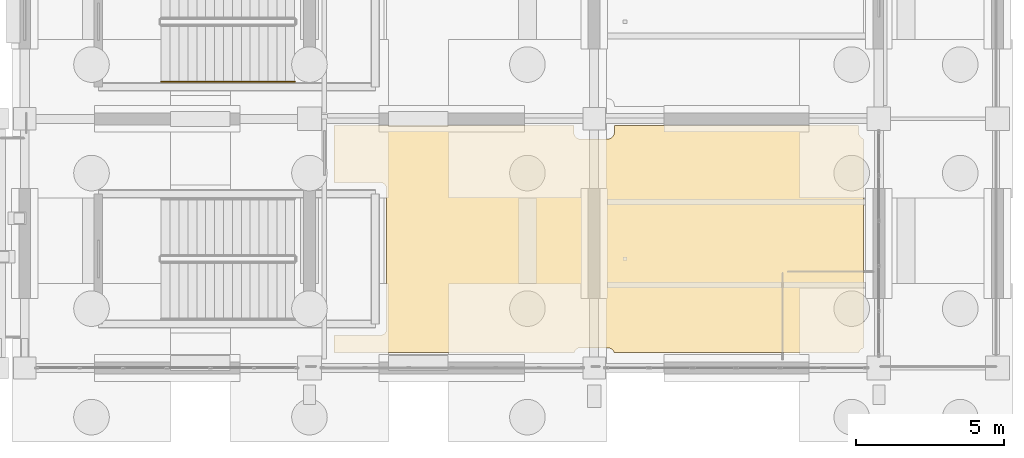
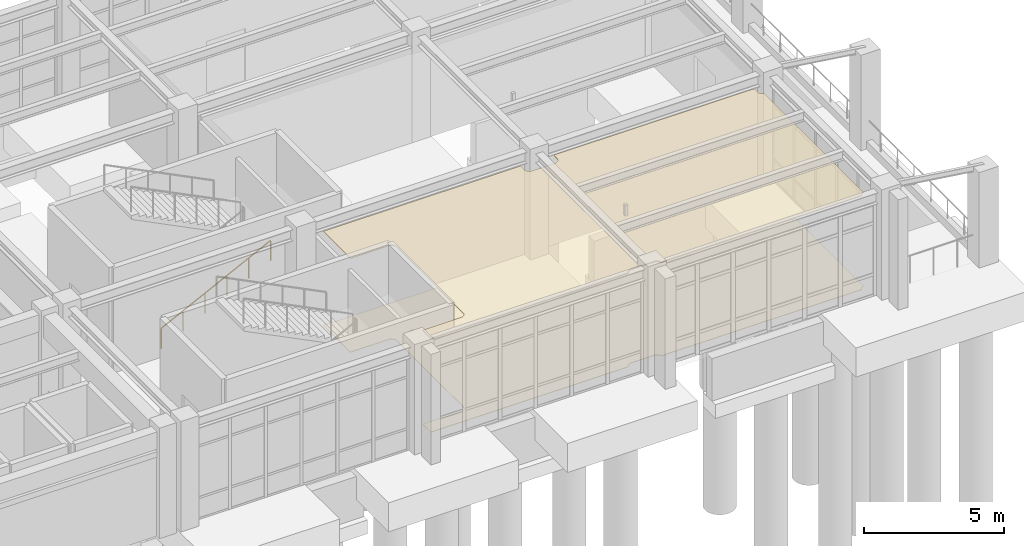
# One storey, part 105 of 111: 2 coverings, 1 railing.
"""IFC4 building model written with IfcOpenShell, lengths in metres."""

from ifc_helpers import new_model, si_unit, direction, frame, origin, origin_2d, place, context, subcontext, project, spatial, polyline, circle, outline, extrude, material, layer, layer_set, type_object, element, save


model = new_model("IFC4")

# Units and contexts
model_context = context("Model", 3, precision=1e-05, world=origin(), true_north=direction((0.0, 1.0)))
body_context = subcontext(model_context, "Body", "Model", "MODEL_VIEW")
ifc_project = project(units=[si_unit("LENGTHUNIT", "METRE"), si_unit("AREAUNIT", "SQUARE_METRE"), si_unit("VOLUMEUNIT", "CUBIC_METRE"), si_unit("PLANEANGLEUNIT", "RADIAN"), si_unit("MASSUNIT", "GRAM", prefix="KILO")], contexts=[model_context])

# Site, building, storey
site_placement = place(None, origin())
site = spatial("IfcSite", under=ifc_project, at=site_placement, CompositionType="ELEMENT")
building_placement = place(site_placement, origin())
building = spatial("IfcBuilding", under=site, at=building_placement, Name="Canglan Escarpment Cableway Terminal", CompositionType="ELEMENT")
storey_placement = place(building_placement, frame((0.0, 0.0, 4.800048828125)))
storey = spatial("IfcBuildingStorey", under=building, at=storey_placement, Name="L01", CompositionType="ELEMENT", Elevation=4.800048828125)

# Coverings
ifc_material_1 = material(Name="Moisture-resistant acoustic gypsum ceiling", Category="gypsum")
ifc_layer_1 = layer(ifc_material_1, 0.030029296875, Name="Moisture-resistant acoustic gypsum ceiling")
ifc_layer_set_1 = layer_set([ifc_layer_1], Name="Moisture-resistant acoustic gypsum ceiling")
covering_type_1 = type_object("IfcCoveringType", Name="COV-CEIL-GYPSUM-30", PredefinedType="CEILING", material=ifc_layer_set_1)
covering_1_placement = place(storey_placement, frame((0.0, 0.0, 4.070068359375)))
element("IfcCovering", 1, at=covering_1_placement, inside=storey, type_object=covering_type_1, Name="Portico Concierge Salon suspended acoustic ceiling", PredefinedType="CEILING", context=body_context, shape_type="SweptSolid", body=[
    extrude(outline(polyline([(165.73291015625, 8.533203125), (165.732177734375, 8.531494140625), (165.731201171875, 8.529541015625), (165.72998046875, 8.52783203125), (165.728515625, 8.5263671875), (165.72705078125, 8.52490234375), (165.7255859375, 8.523681640625), (165.723876953125, 8.522705078125), (165.721923828125, 8.521728515625), (165.719970703125, 8.52099609375), (165.718017578125, 8.5205078125), (165.716064453125, 8.52001953125), (165.714111328125, 8.52001953125), (157.639892578125, 8.52001953125), (157.637939453125, 8.52001953125), (157.635986328125, 8.5205078125), (157.63427734375, 8.52099609375), (157.63232421875, 8.521484375), (157.630615234375, 8.5224609375), (157.62890625, 8.5234375), (157.627197265625, 8.5244140625), (157.6259765625, 8.52587890625), (157.62451171875, 8.52734375), (157.623291015625, 8.52880859375), (157.622314453125, 8.530517578125), (157.62158203125, 8.5322265625), (157.620849609375, 8.5341796875), (157.620361328125, 8.5361328125), (157.6201171875, 8.5380859375), (157.6201171875, 8.5400390625), (157.6201171875, 9.080078125), (157.6201171875, 9.08203125), (157.620361328125, 9.083984375), (157.620849609375, 9.085693359375), (157.62158203125, 9.087646484375), (157.622314453125, 9.08935546875), (157.623291015625, 9.091064453125), (157.62451171875, 9.0927734375), (157.6259765625, 9.093994140625), (157.627197265625, 9.095458984375), (157.62890625, 9.0966796875), (157.630615234375, 9.09765625), (157.63232421875, 9.098388671875), (157.63427734375, 9.09912109375), (157.635986328125, 9.099609375), (157.637939453125, 9.099853515625), (157.639892578125, 9.10009765625), (159.1796875, 9.10009765625), (159.18017578125, 9.10009765625), (159.201171875, 9.10107421875), (159.201904296875, 9.10107421875), (159.222412109375, 9.104248046875), (159.223388671875, 9.104248046875), (159.243408203125, 9.109375), (159.244384765625, 9.109619140625), (159.263671875, 9.11669921875), (159.2646484375, 9.116943359375), (159.283203125, 9.125732421875), (159.2841796875, 9.126220703125), (159.3017578125, 9.13671875), (159.302490234375, 9.137451171875), (159.319091796875, 9.149658203125), (159.31982421875, 9.150390625), (159.335205078125, 9.1640625), (159.3359375, 9.164794921875), (159.349609375, 9.18017578125), (159.350341796875, 9.180908203125), (159.362548828125, 9.197509765625), (159.36328125, 9.1982421875), (159.373779296875, 9.2158203125), (159.374267578125, 9.216796875), (159.383056640625, 9.2353515625), (159.38330078125, 9.236328125), (159.390380859375, 9.255615234375), (159.390625, 9.256591796875), (159.395751953125, 9.276611328125), (159.395751953125, 9.277587890625), (159.39892578125, 9.298095703125), (159.39892578125, 9.298828125), (159.39990234375, 9.31982421875), (159.39990234375, 9.3203125), (159.39990234375, 14.02978515625), (159.39990234375, 14.0302734375), (159.39892578125, 14.051025390625), (159.39892578125, 14.052001953125), (159.395751953125, 14.072509765625), (159.395751953125, 14.073486328125), (159.390625, 14.093505859375), (159.390380859375, 14.09423828125), (159.38330078125, 14.11376953125), (159.383056640625, 14.114501953125), (159.374267578125, 14.13330078125), (159.373779296875, 14.134033203125), (159.36328125, 14.15185546875), (159.362548828125, 14.152587890625), (159.350341796875, 14.169189453125), (159.349609375, 14.169921875), (159.3359375, 14.185302734375), (159.335205078125, 14.185791015625), (159.31982421875, 14.19970703125), (159.319091796875, 14.200439453125), (159.302490234375, 14.212646484375), (159.3017578125, 14.213134765625), (159.2841796875, 14.223876953125), (159.283203125, 14.22412109375), (159.2646484375, 14.23291015625), (159.263671875, 14.2333984375), (159.244384765625, 14.240478515625), (159.243408203125, 14.240478515625), (159.223388671875, 14.24560546875), (159.222412109375, 14.245849609375), (159.201904296875, 14.248779296875), (159.201171875, 14.2490234375), (159.18017578125, 14.25), (159.1796875, 14.25), (157.639892578125, 14.25), (157.637939453125, 14.25), (157.635986328125, 14.25048828125), (157.63427734375, 14.2509765625), (157.63232421875, 14.25146484375), (157.630615234375, 14.25244140625), (157.62890625, 14.25341796875), (157.627197265625, 14.25439453125), (157.6259765625, 14.255859375), (157.62451171875, 14.25732421875), (157.623291015625, 14.2587890625), (157.622314453125, 14.260498046875), (157.62158203125, 14.26220703125), (157.620849609375, 14.26416015625), (157.620361328125, 14.26611328125), (157.6201171875, 14.26806640625), (157.6201171875, 14.27001953125), (157.6201171875, 16.159912109375), (157.6201171875, 16.162109375), (157.620361328125, 16.163818359375), (157.620849609375, 16.165771484375), (157.62158203125, 16.167724609375), (157.622314453125, 16.16943359375), (157.623291015625, 16.171142578125), (157.62451171875, 16.172607421875), (157.6259765625, 16.174072265625), (157.627197265625, 16.175537109375), (157.62890625, 16.176513671875), (157.630615234375, 16.177490234375), (157.63232421875, 16.178466796875), (157.63427734375, 16.17919921875), (157.635986328125, 16.1796875), (157.637939453125, 16.179931640625), (157.639892578125, 16.179931640625), (165.699951171875, 16.179931640625), (165.701904296875, 16.179931640625), (165.703857421875, 16.1796875), (165.705810546875, 16.17919921875), (165.707763671875, 16.178466796875), (165.70947265625, 16.177490234375), (165.711181640625, 16.176513671875), (165.712646484375, 16.175537109375), (165.714111328125, 16.174072265625), (165.715576171875, 16.172607421875), (165.716552734375, 16.171142578125), (165.717529296875, 16.16943359375), (165.718505859375, 16.167724609375), (165.718994140625, 16.165771484375), (165.719482421875, 16.163818359375), (165.719970703125, 16.162109375), (165.719970703125, 16.159912109375), (165.719970703125, 15.940185546875), (165.719970703125, 15.939697265625), (165.720947265625, 15.9189453125), (165.72119140625, 15.91796875), (165.72412109375, 15.897705078125), (165.724365234375, 15.896484375), (165.7294921875, 15.876708984375), (165.7294921875, 15.875732421875), (165.736572265625, 15.856201171875), (165.737060546875, 15.85546875), (165.745849609375, 15.836669921875), (165.74609375, 15.8359375), (165.7568359375, 15.818115234375), (165.75732421875, 15.8173828125), (165.76953125, 15.80078125), (165.770263671875, 15.800048828125), (165.7841796875, 15.784912109375), (165.784912109375, 15.7841796875), (165.800048828125, 15.770263671875), (165.80078125, 15.76953125), (165.8173828125, 15.75732421875), (165.818115234375, 15.7568359375), (165.8359375, 15.74609375), (165.836669921875, 15.745849609375), (165.85546875, 15.737060546875), (165.856201171875, 15.736572265625), (165.875732421875, 15.7294921875), (165.876708984375, 15.7294921875), (165.896484375, 15.724365234375), (165.897705078125, 15.72412109375), (165.91796875, 15.72119140625), (165.9189453125, 15.720947265625), (165.939697265625, 15.719970703125), (165.940185546875, 15.719970703125), (166.85986328125, 15.719970703125), (166.860107421875, 15.719970703125), (166.881103515625, 15.720947265625), (166.882080078125, 15.72119140625), (166.90234375, 15.72412109375), (166.9033203125, 15.724365234375), (166.92333984375, 15.7294921875), (166.92431640625, 15.7294921875), (166.943603515625, 15.736572265625), (166.944580078125, 15.737060546875), (166.96337890625, 15.745849609375), (166.964111328125, 15.74609375), (166.981689453125, 15.7568359375), (166.982666015625, 15.75732421875), (166.999267578125, 15.76953125), (167.0, 15.770263671875), (167.01513671875, 15.7841796875), (167.015869140625, 15.784912109375), (167.02978515625, 15.800048828125), (167.030517578125, 15.80078125), (167.04248046875, 15.8173828125), (167.043212890625, 15.818115234375), (167.0537109375, 15.8359375), (167.05419921875, 15.836669921875), (167.06298828125, 15.85546875), (167.0634765625, 15.856201171875), (167.0703125, 15.875732421875), (167.070556640625, 15.876708984375), (167.07568359375, 15.896484375), (167.07568359375, 15.897705078125), (167.078857421875, 15.91796875), (167.0791015625, 15.9189453125), (167.080078125, 15.939697265625), (167.080078125, 15.940185546875), (167.080078125, 16.159912109375), (167.080078125, 16.162109375), (167.080322265625, 16.163818359375), (167.080810546875, 16.165771484375), (167.08154296875, 16.167724609375), (167.08251953125, 16.16943359375), (167.08349609375, 16.171142578125), (167.08447265625, 16.172607421875), (167.0859375, 16.174072265625), (167.08740234375, 16.175537109375), (167.0888671875, 16.176513671875), (167.090576171875, 16.177490234375), (167.09228515625, 16.178466796875), (167.09423828125, 16.17919921875), (167.09619140625, 16.1796875), (167.097900390625, 16.179931640625), (167.10009765625, 16.179931640625), (175.300048828125, 16.179931640625), (175.302001953125, 16.179931640625), (175.303955078125, 16.1796875), (175.305908203125, 16.17919921875), (175.3076171875, 16.178466796875), (175.309326171875, 16.177490234375), (175.31103515625, 16.176513671875), (175.312744140625, 16.175537109375), (175.314208984375, 16.174072265625), (175.3154296875, 16.172607421875), (175.316650390625, 16.171142578125), (175.317626953125, 16.16943359375), (175.318603515625, 16.167724609375), (175.319091796875, 16.165771484375), (175.319580078125, 16.163818359375), (175.31982421875, 16.162109375), (175.320068359375, 16.159912109375), (175.320068359375, 15.940185546875), (175.320068359375, 15.939697265625), (175.321044921875, 15.9189453125), (175.321044921875, 15.91796875), (175.32421875, 15.897705078125), (175.32421875, 15.896484375), (175.329345703125, 15.876708984375), (175.32958984375, 15.875732421875), (175.336669921875, 15.856201171875), (175.3369140625, 15.85546875), (175.345703125, 15.836669921875), (175.34619140625, 15.8359375), (175.356689453125, 15.818115234375), (175.357421875, 15.8173828125), (175.36962890625, 15.80078125), (175.370361328125, 15.800048828125), (175.384033203125, 15.784912109375), (175.384765625, 15.7841796875), (175.400146484375, 15.770263671875), (175.40087890625, 15.76953125), (175.41748046875, 15.75732421875), (175.418212890625, 15.7568359375), (175.435791015625, 15.74609375), (175.436767578125, 15.745849609375), (175.455322265625, 15.737060546875), (175.456298828125, 15.736572265625), (175.466796875, 15.73291015625), (175.468505859375, 15.732177734375), (175.47021484375, 15.731201171875), (175.4716796875, 15.730224609375), (175.47314453125, 15.72900390625), (175.474609375, 15.727783203125), (175.475830078125, 15.726318359375), (175.476806640625, 15.724609375), (175.477783203125, 15.72314453125), (175.478515625, 15.721435546875), (175.479248046875, 15.719482421875), (175.4794921875, 15.7177734375), (175.47998046875, 15.7158203125), (175.47998046875, 15.714111328125), (175.47998046875, 8.68603515625), (175.47998046875, 8.68408203125), (175.4794921875, 8.68212890625), (175.479248046875, 8.680419921875), (175.478515625, 8.6787109375), (175.477783203125, 8.677001953125), (175.476806640625, 8.67529296875), (175.475830078125, 8.673583984375), (175.474609375, 8.67236328125), (175.47314453125, 8.6708984375), (175.4716796875, 8.669921875), (175.47021484375, 8.668701171875), (175.468505859375, 8.66796875), (175.466796875, 8.667236328125), (175.456298828125, 8.663330078125), (175.455322265625, 8.6630859375), (175.436767578125, 8.654296875), (175.435791015625, 8.65380859375), (175.418212890625, 8.643310546875), (175.41748046875, 8.642578125), (175.40087890625, 8.63037109375), (175.400146484375, 8.629638671875), (175.384765625, 8.615966796875), (175.384033203125, 8.615234375), (175.370361328125, 8.599853515625), (175.36962890625, 8.59912109375), (175.357421875, 8.58251953125), (175.356689453125, 8.581787109375), (175.34619140625, 8.564208984375), (175.345703125, 8.563232421875), (175.3369140625, 8.544677734375), (175.336669921875, 8.543701171875), (175.332763671875, 8.533203125), (175.33203125, 8.531494140625), (175.3310546875, 8.529541015625), (175.329833984375, 8.52783203125), (175.32861328125, 8.5263671875), (175.3271484375, 8.52490234375), (175.325439453125, 8.523681640625), (175.32373046875, 8.522705078125), (175.322021484375, 8.521728515625), (175.320068359375, 8.52099609375), (175.318115234375, 8.5205078125), (175.31591796875, 8.52001953125), (175.31396484375, 8.52001953125), (167.0859375, 8.52001953125), (167.083984375, 8.52001953125), (167.081787109375, 8.5205078125), (167.080078125, 8.52099609375), (167.077880859375, 8.521728515625), (167.076171875, 8.522705078125), (167.074462890625, 8.523681640625), (167.072998046875, 8.52490234375), (167.0712890625, 8.5263671875), (167.070068359375, 8.52783203125), (167.06884765625, 8.529541015625), (167.06787109375, 8.531494140625), (167.067138671875, 8.533203125), (167.0634765625, 8.543701171875), (167.06298828125, 8.544677734375), (167.05419921875, 8.563232421875), (167.0537109375, 8.564208984375), (167.043212890625, 8.581787109375), (167.04248046875, 8.58251953125), (167.030517578125, 8.59912109375), (167.02978515625, 8.599853515625), (167.015869140625, 8.615234375), (167.01513671875, 8.615966796875), (167.0, 8.629638671875), (166.999267578125, 8.63037109375), (166.982666015625, 8.642578125), (166.981689453125, 8.643310546875), (166.964111328125, 8.65380859375), (166.96337890625, 8.654296875), (166.944580078125, 8.6630859375), (166.943603515625, 8.663330078125), (166.92431640625, 8.67041015625), (166.92333984375, 8.670654296875), (166.9033203125, 8.67578125), (166.90234375, 8.67578125), (166.882080078125, 8.678955078125), (166.881103515625, 8.678955078125), (166.860107421875, 8.679931640625), (166.85986328125, 8.679931640625), (165.940185546875, 8.679931640625), (165.939697265625, 8.679931640625), (165.9189453125, 8.678955078125), (165.91796875, 8.678955078125), (165.897705078125, 8.67578125), (165.896484375, 8.67578125), (165.876708984375, 8.670654296875), (165.875732421875, 8.67041015625), (165.856201171875, 8.663330078125), (165.85546875, 8.6630859375), (165.836669921875, 8.654296875), (165.8359375, 8.65380859375), (165.818115234375, 8.643310546875), (165.8173828125, 8.642578125), (165.80078125, 8.63037109375), (165.800048828125, 8.629638671875), (165.784912109375, 8.615966796875), (165.7841796875, 8.615234375), (165.770263671875, 8.599853515625), (165.76953125, 8.59912109375), (165.75732421875, 8.58251953125), (165.7568359375, 8.581787109375), (165.74609375, 8.564208984375), (165.745849609375, 8.563232421875), (165.737060546875, 8.544677734375), (165.736572265625, 8.543701171875), (165.73291015625, 8.533203125)])), origin(), (0.0, 0.0, 1.0), 0.02978515625),
])
ifc_material_2 = material(Name="Polished mineral terrazzo flooring", Category="concrete")
ifc_layer_2 = layer(ifc_material_2, 0.02001953125, Name="Polished mineral terrazzo flooring")
ifc_layer_set_2 = layer_set([ifc_layer_2], Name="Polished mineral terrazzo flooring")
covering_type_2 = type_object("IfcCoveringType", Name="COV-FLR-TERRAZZO-20", PredefinedType="FLOORING", material=ifc_layer_set_2)
covering_2_placement = place(storey_placement, origin())
element("IfcCovering", 2, at=covering_2_placement, inside=storey, type_object=covering_type_2, Name="Portico Concierge Salon stone floor finish", PredefinedType="FLOORING", context=body_context, shape_type="SweptSolid", body=[
    extrude(outline(polyline([(165.73291015625, 8.533203125), (165.732177734375, 8.531494140625), (165.731201171875, 8.529541015625), (165.72998046875, 8.52783203125), (165.728515625, 8.5263671875), (165.72705078125, 8.52490234375), (165.7255859375, 8.523681640625), (165.723876953125, 8.522705078125), (165.721923828125, 8.521728515625), (165.719970703125, 8.52099609375), (165.718017578125, 8.5205078125), (165.716064453125, 8.52001953125), (165.714111328125, 8.52001953125), (157.639892578125, 8.52001953125), (157.637939453125, 8.52001953125), (157.635986328125, 8.5205078125), (157.63427734375, 8.52099609375), (157.63232421875, 8.521484375), (157.630615234375, 8.5224609375), (157.62890625, 8.5234375), (157.627197265625, 8.5244140625), (157.6259765625, 8.52587890625), (157.62451171875, 8.52734375), (157.623291015625, 8.52880859375), (157.622314453125, 8.530517578125), (157.62158203125, 8.5322265625), (157.620849609375, 8.5341796875), (157.620361328125, 8.5361328125), (157.6201171875, 8.5380859375), (157.6201171875, 8.5400390625), (157.6201171875, 9.080078125), (157.6201171875, 9.08203125), (157.620361328125, 9.083984375), (157.620849609375, 9.085693359375), (157.62158203125, 9.087646484375), (157.622314453125, 9.08935546875), (157.623291015625, 9.091064453125), (157.62451171875, 9.0927734375), (157.6259765625, 9.093994140625), (157.627197265625, 9.095458984375), (157.62890625, 9.0966796875), (157.630615234375, 9.09765625), (157.63232421875, 9.098388671875), (157.63427734375, 9.09912109375), (157.635986328125, 9.099609375), (157.637939453125, 9.099853515625), (157.639892578125, 9.10009765625), (159.1796875, 9.10009765625), (159.18017578125, 9.10009765625), (159.201171875, 9.10107421875), (159.201904296875, 9.10107421875), (159.222412109375, 9.104248046875), (159.223388671875, 9.104248046875), (159.243408203125, 9.109375), (159.244384765625, 9.109619140625), (159.263671875, 9.11669921875), (159.2646484375, 9.116943359375), (159.283203125, 9.125732421875), (159.2841796875, 9.126220703125), (159.3017578125, 9.13671875), (159.302490234375, 9.137451171875), (159.319091796875, 9.149658203125), (159.31982421875, 9.150390625), (159.335205078125, 9.1640625), (159.3359375, 9.164794921875), (159.349609375, 9.18017578125), (159.350341796875, 9.180908203125), (159.362548828125, 9.197509765625), (159.36328125, 9.1982421875), (159.373779296875, 9.2158203125), (159.374267578125, 9.216796875), (159.383056640625, 9.2353515625), (159.38330078125, 9.236328125), (159.390380859375, 9.255615234375), (159.390625, 9.256591796875), (159.395751953125, 9.276611328125), (159.395751953125, 9.277587890625), (159.39892578125, 9.298095703125), (159.39892578125, 9.298828125), (159.39990234375, 9.31982421875), (159.39990234375, 9.3203125), (159.39990234375, 14.02978515625), (159.39990234375, 14.0302734375), (159.39892578125, 14.051025390625), (159.39892578125, 14.052001953125), (159.395751953125, 14.072509765625), (159.395751953125, 14.073486328125), (159.390625, 14.093505859375), (159.390380859375, 14.09423828125), (159.38330078125, 14.11376953125), (159.383056640625, 14.114501953125), (159.374267578125, 14.13330078125), (159.373779296875, 14.134033203125), (159.36328125, 14.15185546875), (159.362548828125, 14.152587890625), (159.350341796875, 14.169189453125), (159.349609375, 14.169921875), (159.3359375, 14.185302734375), (159.335205078125, 14.185791015625), (159.31982421875, 14.19970703125), (159.319091796875, 14.200439453125), (159.302490234375, 14.212646484375), (159.3017578125, 14.213134765625), (159.2841796875, 14.223876953125), (159.283203125, 14.22412109375), (159.2646484375, 14.23291015625), (159.263671875, 14.2333984375), (159.244384765625, 14.240478515625), (159.243408203125, 14.240478515625), (159.223388671875, 14.24560546875), (159.222412109375, 14.245849609375), (159.201904296875, 14.248779296875), (159.201171875, 14.2490234375), (159.18017578125, 14.25), (159.1796875, 14.25), (157.639892578125, 14.25), (157.637939453125, 14.25), (157.635986328125, 14.25048828125), (157.63427734375, 14.2509765625), (157.63232421875, 14.25146484375), (157.630615234375, 14.25244140625), (157.62890625, 14.25341796875), (157.627197265625, 14.25439453125), (157.6259765625, 14.255859375), (157.62451171875, 14.25732421875), (157.623291015625, 14.2587890625), (157.622314453125, 14.260498046875), (157.62158203125, 14.26220703125), (157.620849609375, 14.26416015625), (157.620361328125, 14.26611328125), (157.6201171875, 14.26806640625), (157.6201171875, 14.27001953125), (157.6201171875, 16.159912109375), (157.6201171875, 16.162109375), (157.620361328125, 16.163818359375), (157.620849609375, 16.165771484375), (157.62158203125, 16.167724609375), (157.622314453125, 16.16943359375), (157.623291015625, 16.171142578125), (157.62451171875, 16.172607421875), (157.6259765625, 16.174072265625), (157.627197265625, 16.175537109375), (157.62890625, 16.176513671875), (157.630615234375, 16.177490234375), (157.63232421875, 16.178466796875), (157.63427734375, 16.17919921875), (157.635986328125, 16.1796875), (157.637939453125, 16.179931640625), (157.639892578125, 16.179931640625), (165.699951171875, 16.179931640625), (165.701904296875, 16.179931640625), (165.703857421875, 16.1796875), (165.705810546875, 16.17919921875), (165.707763671875, 16.178466796875), (165.70947265625, 16.177490234375), (165.711181640625, 16.176513671875), (165.712646484375, 16.175537109375), (165.714111328125, 16.174072265625), (165.715576171875, 16.172607421875), (165.716552734375, 16.171142578125), (165.717529296875, 16.16943359375), (165.718505859375, 16.167724609375), (165.718994140625, 16.165771484375), (165.719482421875, 16.163818359375), (165.719970703125, 16.162109375), (165.719970703125, 16.159912109375), (165.719970703125, 15.940185546875), (165.719970703125, 15.939697265625), (165.720947265625, 15.9189453125), (165.72119140625, 15.91796875), (165.72412109375, 15.897705078125), (165.724365234375, 15.896484375), (165.7294921875, 15.876708984375), (165.7294921875, 15.875732421875), (165.736572265625, 15.856201171875), (165.737060546875, 15.85546875), (165.745849609375, 15.836669921875), (165.74609375, 15.8359375), (165.7568359375, 15.818115234375), (165.75732421875, 15.8173828125), (165.76953125, 15.80078125), (165.770263671875, 15.800048828125), (165.7841796875, 15.784912109375), (165.784912109375, 15.7841796875), (165.800048828125, 15.770263671875), (165.80078125, 15.76953125), (165.8173828125, 15.75732421875), (165.818115234375, 15.7568359375), (165.8359375, 15.74609375), (165.836669921875, 15.745849609375), (165.85546875, 15.737060546875), (165.856201171875, 15.736572265625), (165.875732421875, 15.7294921875), (165.876708984375, 15.7294921875), (165.896484375, 15.724365234375), (165.897705078125, 15.72412109375), (165.91796875, 15.72119140625), (165.9189453125, 15.720947265625), (165.939697265625, 15.719970703125), (165.940185546875, 15.719970703125), (166.85986328125, 15.719970703125), (166.860107421875, 15.719970703125), (166.881103515625, 15.720947265625), (166.882080078125, 15.72119140625), (166.90234375, 15.72412109375), (166.9033203125, 15.724365234375), (166.92333984375, 15.7294921875), (166.92431640625, 15.7294921875), (166.943603515625, 15.736572265625), (166.944580078125, 15.737060546875), (166.96337890625, 15.745849609375), (166.964111328125, 15.74609375), (166.981689453125, 15.7568359375), (166.982666015625, 15.75732421875), (166.999267578125, 15.76953125), (167.0, 15.770263671875), (167.01513671875, 15.7841796875), (167.015869140625, 15.784912109375), (167.02978515625, 15.800048828125), (167.030517578125, 15.80078125), (167.04248046875, 15.8173828125), (167.043212890625, 15.818115234375), (167.0537109375, 15.8359375), (167.05419921875, 15.836669921875), (167.06298828125, 15.85546875), (167.0634765625, 15.856201171875), (167.0703125, 15.875732421875), (167.070556640625, 15.876708984375), (167.07568359375, 15.896484375), (167.07568359375, 15.897705078125), (167.078857421875, 15.91796875), (167.0791015625, 15.9189453125), (167.080078125, 15.939697265625), (167.080078125, 15.940185546875), (167.080078125, 16.159912109375), (167.080078125, 16.162109375), (167.080322265625, 16.163818359375), (167.080810546875, 16.165771484375), (167.08154296875, 16.167724609375), (167.08251953125, 16.16943359375), (167.08349609375, 16.171142578125), (167.08447265625, 16.172607421875), (167.0859375, 16.174072265625), (167.08740234375, 16.175537109375), (167.0888671875, 16.176513671875), (167.090576171875, 16.177490234375), (167.09228515625, 16.178466796875), (167.09423828125, 16.17919921875), (167.09619140625, 16.1796875), (167.097900390625, 16.179931640625), (167.10009765625, 16.179931640625), (175.300048828125, 16.179931640625), (175.302001953125, 16.179931640625), (175.303955078125, 16.1796875), (175.305908203125, 16.17919921875), (175.3076171875, 16.178466796875), (175.309326171875, 16.177490234375), (175.31103515625, 16.176513671875), (175.312744140625, 16.175537109375), (175.314208984375, 16.174072265625), (175.3154296875, 16.172607421875), (175.316650390625, 16.171142578125), (175.317626953125, 16.16943359375), (175.318603515625, 16.167724609375), (175.319091796875, 16.165771484375), (175.319580078125, 16.163818359375), (175.31982421875, 16.162109375), (175.320068359375, 16.159912109375), (175.320068359375, 15.940185546875), (175.320068359375, 15.939697265625), (175.321044921875, 15.9189453125), (175.321044921875, 15.91796875), (175.32421875, 15.897705078125), (175.32421875, 15.896484375), (175.329345703125, 15.876708984375), (175.32958984375, 15.875732421875), (175.336669921875, 15.856201171875), (175.3369140625, 15.85546875), (175.345703125, 15.836669921875), (175.34619140625, 15.8359375), (175.356689453125, 15.818115234375), (175.357421875, 15.8173828125), (175.36962890625, 15.80078125), (175.370361328125, 15.800048828125), (175.384033203125, 15.784912109375), (175.384765625, 15.7841796875), (175.400146484375, 15.770263671875), (175.40087890625, 15.76953125), (175.41748046875, 15.75732421875), (175.418212890625, 15.7568359375), (175.435791015625, 15.74609375), (175.436767578125, 15.745849609375), (175.455322265625, 15.737060546875), (175.456298828125, 15.736572265625), (175.466796875, 15.73291015625), (175.468505859375, 15.732177734375), (175.47021484375, 15.731201171875), (175.4716796875, 15.730224609375), (175.47314453125, 15.72900390625), (175.474609375, 15.727783203125), (175.475830078125, 15.726318359375), (175.476806640625, 15.724609375), (175.477783203125, 15.72314453125), (175.478515625, 15.721435546875), (175.479248046875, 15.719482421875), (175.4794921875, 15.7177734375), (175.47998046875, 15.7158203125), (175.47998046875, 15.714111328125), (175.47998046875, 8.68603515625), (175.47998046875, 8.68408203125), (175.4794921875, 8.68212890625), (175.479248046875, 8.680419921875), (175.478515625, 8.6787109375), (175.477783203125, 8.677001953125), (175.476806640625, 8.67529296875), (175.475830078125, 8.673583984375), (175.474609375, 8.67236328125), (175.47314453125, 8.6708984375), (175.4716796875, 8.669921875), (175.47021484375, 8.668701171875), (175.468505859375, 8.66796875), (175.466796875, 8.667236328125), (175.456298828125, 8.663330078125), (175.455322265625, 8.6630859375), (175.436767578125, 8.654296875), (175.435791015625, 8.65380859375), (175.418212890625, 8.643310546875), (175.41748046875, 8.642578125), (175.40087890625, 8.63037109375), (175.400146484375, 8.629638671875), (175.384765625, 8.615966796875), (175.384033203125, 8.615234375), (175.370361328125, 8.599853515625), (175.36962890625, 8.59912109375), (175.357421875, 8.58251953125), (175.356689453125, 8.581787109375), (175.34619140625, 8.564208984375), (175.345703125, 8.563232421875), (175.3369140625, 8.544677734375), (175.336669921875, 8.543701171875), (175.332763671875, 8.533203125), (175.33203125, 8.531494140625), (175.3310546875, 8.529541015625), (175.329833984375, 8.52783203125), (175.32861328125, 8.5263671875), (175.3271484375, 8.52490234375), (175.325439453125, 8.523681640625), (175.32373046875, 8.522705078125), (175.322021484375, 8.521728515625), (175.320068359375, 8.52099609375), (175.318115234375, 8.5205078125), (175.31591796875, 8.52001953125), (175.31396484375, 8.52001953125), (167.0859375, 8.52001953125), (167.083984375, 8.52001953125), (167.081787109375, 8.5205078125), (167.080078125, 8.52099609375), (167.077880859375, 8.521728515625), (167.076171875, 8.522705078125), (167.074462890625, 8.523681640625), (167.072998046875, 8.52490234375), (167.0712890625, 8.5263671875), (167.070068359375, 8.52783203125), (167.06884765625, 8.529541015625), (167.06787109375, 8.531494140625), (167.067138671875, 8.533203125), (167.0634765625, 8.543701171875), (167.06298828125, 8.544677734375), (167.05419921875, 8.563232421875), (167.0537109375, 8.564208984375), (167.043212890625, 8.581787109375), (167.04248046875, 8.58251953125), (167.030517578125, 8.59912109375), (167.02978515625, 8.599853515625), (167.015869140625, 8.615234375), (167.01513671875, 8.615966796875), (167.0, 8.629638671875), (166.999267578125, 8.63037109375), (166.982666015625, 8.642578125), (166.981689453125, 8.643310546875), (166.964111328125, 8.65380859375), (166.96337890625, 8.654296875), (166.944580078125, 8.6630859375), (166.943603515625, 8.663330078125), (166.92431640625, 8.67041015625), (166.92333984375, 8.670654296875), (166.9033203125, 8.67578125), (166.90234375, 8.67578125), (166.882080078125, 8.678955078125), (166.881103515625, 8.678955078125), (166.860107421875, 8.679931640625), (166.85986328125, 8.679931640625), (165.940185546875, 8.679931640625), (165.939697265625, 8.679931640625), (165.9189453125, 8.678955078125), (165.91796875, 8.678955078125), (165.897705078125, 8.67578125), (165.896484375, 8.67578125), (165.876708984375, 8.670654296875), (165.875732421875, 8.67041015625), (165.856201171875, 8.663330078125), (165.85546875, 8.6630859375), (165.836669921875, 8.654296875), (165.8359375, 8.65380859375), (165.818115234375, 8.643310546875), (165.8173828125, 8.642578125), (165.80078125, 8.63037109375), (165.800048828125, 8.629638671875), (165.784912109375, 8.615966796875), (165.7841796875, 8.615234375), (165.770263671875, 8.599853515625), (165.76953125, 8.59912109375), (165.75732421875, 8.58251953125), (165.7568359375, 8.581787109375), (165.74609375, 8.564208984375), (165.745849609375, 8.563232421875), (165.737060546875, 8.544677734375), (165.736572265625, 8.543701171875), (165.73291015625, 8.533203125)])), origin(), (0.0, 0.0, 1.0), 0.02001953125),
])

# Railing
ifc_material_3 = material(Name="Brushed stainless steel 304 handrail", Category="steel")
railing_type = type_object("IfcRailingType", Name="RL-STR-HR-900", PredefinedType="HANDRAIL", material=ifc_material_3)
railing_placement = place(storey_placement, frame((151.800048828125, 17.64990234375, 0.14990234375)))
element("IfcRailing", 3, at=railing_placement, inside=storey, type_object=railing_type, Name="L01 ST-09 stair handrail 1", PredefinedType="HANDRAIL", context=body_context, shape_type="SweptSolid", body=[
    extrude(circle(Radius=0.02392578125, at=origin_2d()), frame((0.0, 0.0, 0.8759765625), z_axis=(0.894427191, 0.0, 0.4472135955), x_axis=(0.0, 1.0, 0.0)), (0.0, 0.0, 1.0), 5.03125),
    extrude(circle(Radius=0.02099609375, at=origin_2d()), origin(), (0.0, 0.0, 1.0), 0.851806640625),
    extrude(circle(Radius=0.02099609375, at=origin_2d()), frame((0.89990234375, 0.0, 0.449951171875)), (0.0, 0.0, 1.0), 0.851806640625),
    extrude(circle(Radius=0.02099609375, at=origin_2d()), frame((1.800048828125, 0.0, 0.89990234375)), (0.0, 0.0, 1.0), 0.851806640625),
    extrude(circle(Radius=0.02099609375, at=origin_2d()), frame((2.699951171875, 0.0, 1.35009765625)), (0.0, 0.0, 1.0), 0.851806640625),
    extrude(circle(Radius=0.02099609375, at=origin_2d()), frame((3.60009765625, 0.0, 1.800048828125)), (0.0, 0.0, 1.0), 0.851806640625),
    extrude(circle(Radius=0.02099609375, at=origin_2d()), frame((4.5, 0.0, 2.25)), (0.0, 0.0, 1.0), 0.851806640625),
])

save(model, "model.ifc")
